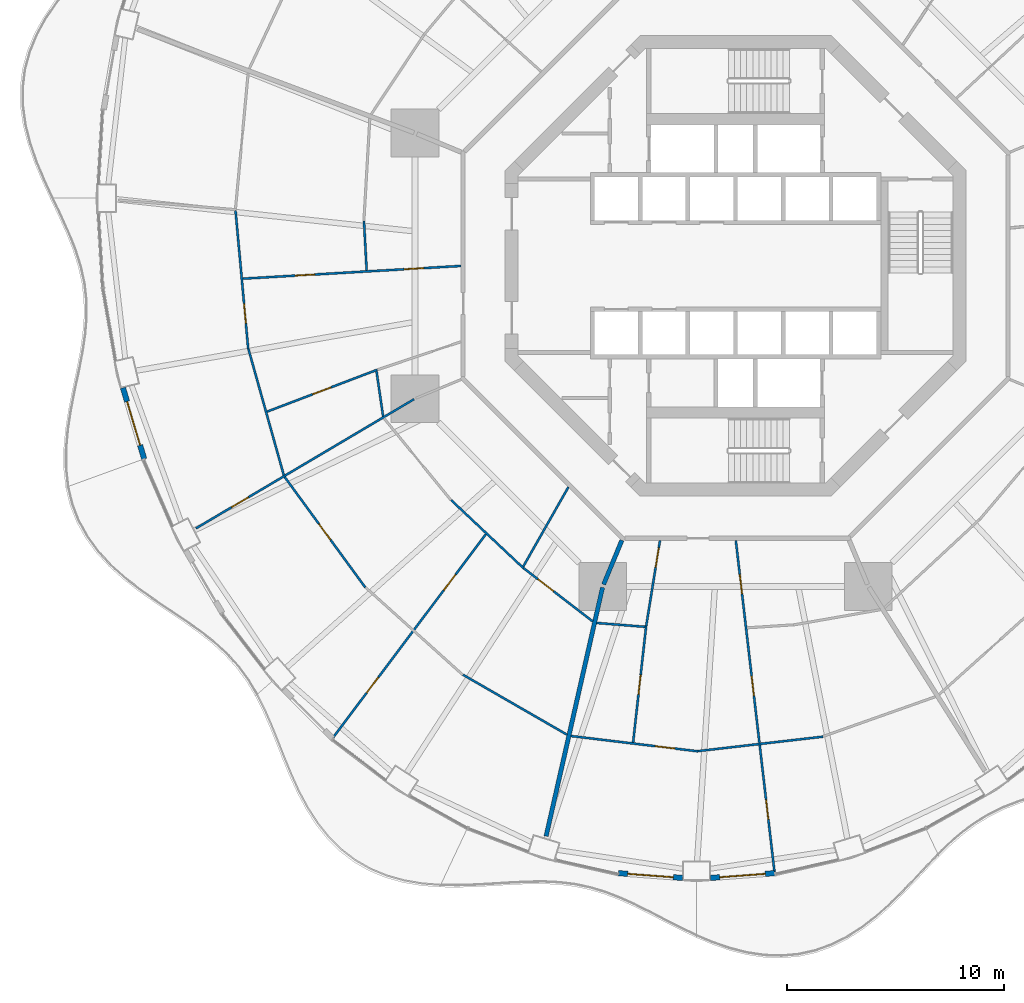
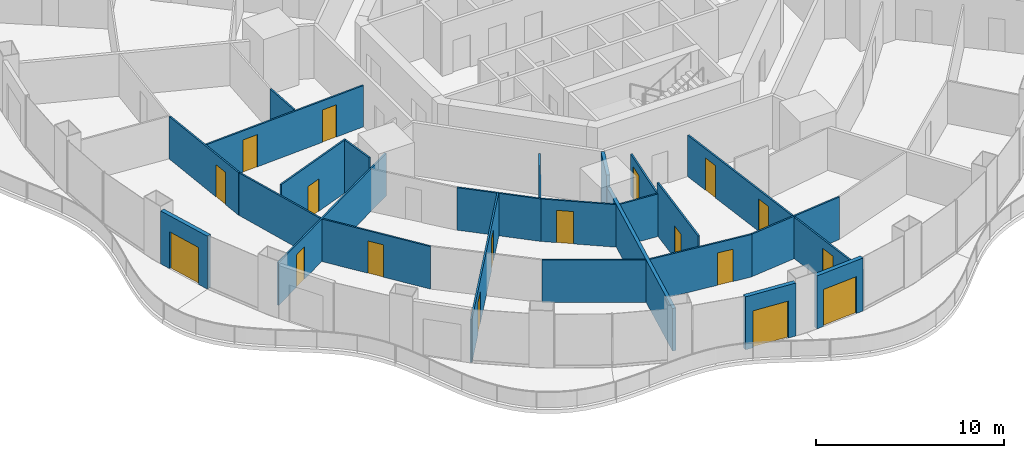
# One storey, part 14 of 22: 24 walls, 18 doors, 18 openings.
"""IFC4 building model written with IfcOpenShell, lengths in metres."""

from ifc_helpers import new_model, si_unit, direction, frame, frame_2d, origin, place, context, subcontext, project, spatial, rectangle, extrude, material, layer, layer_set, type_object, element, fill, save


model = new_model("IFC4")

# Units and contexts
model_context = context("Model", 3, precision=1e-05, world=origin(), true_north=direction((0.0, 1.0)))
body_context = subcontext(model_context, "Body", "Model", "MODEL_VIEW")
ifc_project = project(units=[si_unit("LENGTHUNIT", "METRE"), si_unit("AREAUNIT", "SQUARE_METRE"), si_unit("VOLUMEUNIT", "CUBIC_METRE"), si_unit("PLANEANGLEUNIT", "RADIAN"), si_unit("MASSUNIT", "GRAM", prefix="KILO")], contexts=[model_context])

# Site, building, storey
site_placement = place(None, origin())
site = spatial("IfcSite", under=ifc_project, at=site_placement, CompositionType="ELEMENT")
building_placement = place(site_placement, origin())
building = spatial("IfcBuilding", under=site, at=building_placement, Name="Nagisa Residences", CompositionType="ELEMENT")
storey_placement = place(building_placement, frame((0.0, 0.0, 106.60009765625)))
storey = spatial("IfcBuildingStorey", under=building, at=storey_placement, Name="L26", CompositionType="ELEMENT", Elevation=106.60009765625)

# Walls
ifc_material_1 = material(Name="Gypsum board on steel studs", Category="steel")
ifc_layer_1 = layer(ifc_material_1, 0.199951171875)
ifc_layer_set_1 = layer_set([ifc_layer_1], Name="Apartment compartment wall EI60 200")
wall_type_1 = type_object("IfcWallType", Name="Apartment compartment wall EI60 200", PredefinedType="PARTITIONING", material=ifc_layer_set_1)
wall_1_placement = place(storey_placement, frame((-5.24267578125, -12.6572265625, 0.0), z_axis=(0.0, 0.0, 1.0), x_axis=(-0.382668627144, -0.923885664896, 0.0)))
element("IfcWall", 1, at=wall_1_placement, inside=storey, type_object=wall_type_1, Name="wall:L26:u04", PredefinedType="PARTITIONING", context=body_context, shape_type="SweptSolid", body=[
    extrude(rectangle(XDim=2.200439453125, YDim=0.199951171875, at=frame_2d((1.10009765625, 0.0))), origin(), (0.0, 0.0, 1.0), 3.43994140625),
])
wall_2_placement = place(storey_placement, frame((-6.134033203125, -14.830810546875, 0.0), z_axis=(0.0, 0.0, 1.0), x_axis=(-0.221225405869, -0.975222702667, 0.0)))
element("IfcWall", 2, at=wall_2_placement, inside=storey, type_object=wall_type_1, Name="wall:L26:u05", PredefinedType="PARTITIONING", context=body_context, shape_type="SweptSolid", body=[
    extrude(rectangle(XDim=11.760986328125, YDim=0.199951171875, at=frame_2d((5.88037109375, 0.0))), origin(), (0.0, 0.0, 1.0), 2.761962890625),
])
ifc_material_2 = material(Name="Gypsum board on steel studs", Category="steel")
ifc_layer_2 = layer(ifc_material_2, 0.10009765625)
ifc_layer_set_2 = layer_set([ifc_layer_2], Name="Apartment partition 100")
wall_type_2 = type_object("IfcWallType", Name="Apartment partition 100", PredefinedType="PARTITIONING", material=ifc_layer_set_2)
wall_3_placement = place(storey_placement, frame((-17.13330078125, 2.058349609375, 0.0), z_axis=(0.0, 0.0, 1.0), x_axis=(0.053749298185, -0.998554461682, 0.0)))
element("IfcWall", 3, at=wall_3_placement, inside=storey, type_object=wall_type_2, Name="wall:L26:u56", PredefinedType="PARTITIONING", context=body_context, shape_type="SweptSolid", body=[
    extrude(rectangle(XDim=2.27099609375, YDim=0.10009765625, at=frame_2d((1.135498046875, 0.0))), origin(), (0.0, 0.0, 1.0), 2.761962890625),
])

# Wall, opening, door
wall_4_placement = place(storey_placement, frame((-23.056884765625, 2.54248046875, 0.0), z_axis=(0.0, 0.0, 1.0), x_axis=(0.091364304609, -0.995817535417, 0.0)))
wall_4 = element("IfcWall", 4, at=wall_4_placement, inside=storey, type_object=wall_type_2, Name="wall:L26:u58", PredefinedType="PARTITIONING", context=body_context, shape_type="SweptSolid", body=[
    extrude(rectangle(XDim=6.402587890625, YDim=0.10009765625, at=frame_2d((3.201171875, 0.0))), origin(), (0.0, 0.0, 1.0), 2.761962890625),
])
opening_1_placement = place(wall_4_placement, frame((4.3017578125, 0.0, 0.0)))
opening_1 = element("IfcOpeningElement", 5, at=opening_1_placement, cuts=wall_4, Name="Opening L26-U47", PredefinedType="OPENING", context=body_context, shape_type="SweptSolid", body=[
    extrude(rectangle(XDim=0.89990234375, YDim=2.10009765625, at=frame_2d((0.449951171875, 1.050048828125))), frame((0.0, 0.06005859375, 0.0), z_axis=(0.0, -1.0, 0.0), x_axis=(1.0, 0.0, 0.0)), (0.0, 0.0, 1.0), 0.1201171875),
])
ifc_material_3 = material(Name="Timber door set", Category="wood")
door_type_1 = type_object("IfcDoorType", Name="Apartment door 900x2100", OperationType="NOTDEFINED", PredefinedType="DOOR", material=ifc_material_3)
door_1_placement = place(opening_1_placement, frame((0.89990234375, 0.0, 0.0), x_axis=(-1.0, 0.0, 0.0)))
door_1 = element("IfcDoor", 6, at=door_1_placement, inside=storey, type_object=door_type_1, Name="Door to family room, Apartment 26D", OperationType="SINGLE_SWING_RIGHT", OverallHeight=2.10009765625, OverallWidth=0.89990234375, PredefinedType="DOOR", context=body_context, shape_type="SweptSolid", body=[
    extrude(rectangle(XDim=0.89990234375, YDim=2.10009765625, at=frame_2d((0.449951171875, 1.050048828125))), frame((0.0, 0.02490234375, 0.0), z_axis=(0.0, -1.0, 0.0), x_axis=(1.0, 0.0, 0.0)), (0.0, 0.0, 1.0), 0.050048828125),
])
fill(opening_1, door_1)

# Wall, openings, doors
wall_5_placement = place(storey_placement, frame((-12.66455078125, -0.005859375, 0.0), z_axis=(0.0, 0.0, 1.0), x_axis=(-0.998300603128, -0.058274400843, 0.0)))
wall_5 = element("IfcWall", 7, at=wall_5_placement, inside=storey, type_object=wall_type_2, Name="wall:L26:u59", PredefinedType="PARTITIONING", context=body_context, shape_type="SweptSolid", body=[
    extrude(rectangle(XDim=10.071533203125, YDim=0.10009765625, at=frame_2d((5.03564453125, 0.0))), origin(), (0.0, 0.0, 1.0), 2.68701171875),
])
opening_2_placement = place(wall_5_placement, frame((1.7255859375, 0.0, 0.0)))
opening_2 = element("IfcOpeningElement", 8, at=opening_2_placement, cuts=wall_5, Name="Opening L26-U42", PredefinedType="OPENING", context=body_context, shape_type="SweptSolid", body=[
    extrude(rectangle(XDim=0.89990234375, YDim=2.10009765625, at=frame_2d((0.449951171875, 1.050048828125))), frame((0.0, 0.06005859375, 0.0), z_axis=(0.0, -1.0, 0.0), x_axis=(1.0, 0.0, 0.0)), (0.0, 0.0, 1.0), 0.1201171875),
])
opening_3_placement = place(wall_5_placement, frame((6.761474609375, 0.0, 0.0)))
opening_3 = element("IfcOpeningElement", 9, at=opening_3_placement, cuts=wall_5, Name="Opening L26-U44", PredefinedType="OPENING", context=body_context, shape_type="SweptSolid", body=[
    extrude(rectangle(XDim=0.89990234375, YDim=2.10009765625, at=frame_2d((0.449951171875, 1.050048828125))), frame((0.0, 0.06005859375, 0.0), z_axis=(0.0, -1.0, 0.0), x_axis=(1.0, 0.0, 0.0)), (0.0, 0.0, 1.0), 0.1201171875),
])
door_2_placement = place(opening_2_placement, frame((0.89990234375, 0.0, 0.0), x_axis=(-1.0, 0.0, 0.0)))
door_2 = element("IfcDoor", 10, at=door_2_placement, inside=storey, type_object=door_type_1, Name="Door to laundry, Apartment 26D", OperationType="SINGLE_SWING_LEFT", OverallHeight=2.10009765625, OverallWidth=0.89990234375, PredefinedType="DOOR", context=body_context, shape_type="SweptSolid", body=[
    extrude(rectangle(XDim=0.89990234375, YDim=2.10009765625, at=frame_2d((0.449951171875, 1.050048828125))), frame((0.0, 0.02490234375, 0.0), z_axis=(0.0, -1.0, 0.0), x_axis=(1.0, 0.0, 0.0)), (0.0, 0.0, 1.0), 0.050048828125),
])
fill(opening_2, door_2)
door_3_placement = place(opening_3_placement, frame((0.89990234375, 0.0, 0.0), x_axis=(-1.0, 0.0, 0.0)))
door_3 = element("IfcDoor", 11, at=door_3_placement, inside=storey, type_object=door_type_1, Name="Door to family room, Apartment 26D", OperationType="SINGLE_SWING_LEFT", OverallHeight=2.10009765625, OverallWidth=0.89990234375, PredefinedType="DOOR", context=body_context, shape_type="SweptSolid", body=[
    extrude(rectangle(XDim=0.89990234375, YDim=2.10009765625, at=frame_2d((0.449951171875, 1.050048828125))), frame((0.0, 0.02490234375, 0.0), z_axis=(0.0, -1.0, 0.0), x_axis=(1.0, 0.0, 0.0)), (0.0, 0.0, 1.0), 0.050048828125),
])
fill(opening_3, door_3)

# Wall
wall_6_placement = place(storey_placement, frame((-22.462890625, -3.83154296875, 0.0), z_axis=(0.0, 0.0, 1.0), x_axis=(0.269797759333, -0.962917010473, 0.0)))
element("IfcWall", 12, at=wall_6_placement, inside=storey, type_object=wall_type_2, Name="wall:L26:u60", PredefinedType="PARTITIONING", context=body_context, shape_type="SweptSolid", body=[
    extrude(rectangle(XDim=6.04296875, YDim=0.10009765625, at=frame_2d((3.021484375, 0.0))), origin(), (0.0, 0.0, 1.0), 2.761962890625),
])

# Wall, opening, door
wall_7_placement = place(storey_placement, frame((-16.5166015625, -4.79052734375, 0.0), z_axis=(0.0, 0.0, 1.0), x_axis=(-0.934746314445, -0.355315813933, 0.0)))
wall_7 = element("IfcWall", 13, at=wall_7_placement, inside=storey, type_object=wall_type_2, Name="wall:L26:u62", PredefinedType="PARTITIONING", context=body_context, shape_type="SweptSolid", body=[
    extrude(rectangle(XDim=5.439208984375, YDim=0.10009765625, at=frame_2d((2.7197265625, 0.0))), origin(), (0.0, 0.0, 1.0), 3.43994140625),
])
opening_4_placement = place(wall_7_placement, frame((2.294677734375, 0.0, 0.0)))
opening_4 = element("IfcOpeningElement", 14, at=opening_4_placement, cuts=wall_7, Name="Opening L26-U45", PredefinedType="OPENING", context=body_context, shape_type="SweptSolid", body=[
    extrude(rectangle(XDim=0.89990234375, YDim=2.10009765625, at=frame_2d((0.449951171875, 1.050048828125))), frame((0.0, 0.06005859375, 0.0), z_axis=(0.0, -1.0, 0.0), x_axis=(1.0, 0.0, 0.0)), (0.0, 0.0, 1.0), 0.1201171875),
])
door_4_placement = place(opening_4_placement, origin())
door_4 = element("IfcDoor", 15, at=door_4_placement, inside=storey, type_object=door_type_1, Name="Door to family bathroom, Apartment 26D", OperationType="SINGLE_SWING_LEFT", OverallHeight=2.10009765625, OverallWidth=0.89990234375, PredefinedType="DOOR", context=body_context, shape_type="SweptSolid", body=[
    extrude(rectangle(XDim=0.89990234375, YDim=2.10009765625, at=frame_2d((0.449951171875, 1.050048828125))), frame((0.0, 0.02490234375, 0.0), z_axis=(0.0, -1.0, 0.0), x_axis=(1.0, 0.0, 0.0)), (0.0, 0.0, 1.0), 0.050048828125),
])
fill(opening_4, door_4)

# Wall
wall_8_placement = place(storey_placement, frame((-16.555908203125, -4.857666015625, 0.0), z_axis=(0.0, 0.0, 1.0), x_axis=(0.144198032946, -0.989548850383, 0.0)))
element("IfcWall", 16, at=wall_8_placement, inside=storey, type_object=wall_type_2, Name="wall:L26:u63", PredefinedType="PARTITIONING", context=body_context, shape_type="SweptSolid", body=[
    extrude(rectangle(XDim=2.1044921875, YDim=0.10009765625, at=frame_2d((1.05224609375, 0.0))), origin(), (0.0, 0.0, 1.0), 3.43994140625),
])

# Wall, opening, door
wall_9_placement = place(storey_placement, frame((-14.824951171875, -6.1484375, 0.0), z_axis=(0.0, 0.0, 1.0), x_axis=(-0.860400431487, -0.509618580408, 0.0)))
wall_9 = element("IfcWall", 17, at=wall_9_placement, inside=storey, type_object=wall_type_2, Name="wall:L26:u65", PredefinedType="PARTITIONING", context=body_context, shape_type="SweptSolid", body=[
    extrude(rectangle(XDim=11.687744140625, YDim=0.10009765625, at=frame_2d((5.84375, 0.0))), origin(), (0.0, 0.0, 1.0), 2.761962890625),
])
opening_5_placement = place(wall_9_placement, frame((8.876953125, 0.0, 0.0)))
opening_5 = element("IfcOpeningElement", 18, at=opening_5_placement, cuts=wall_9, Name="Opening L26-U48", PredefinedType="OPENING", context=body_context, shape_type="SweptSolid", body=[
    extrude(rectangle(XDim=0.89990234375, YDim=2.10009765625, at=frame_2d((0.449951171875, 1.050048828125))), frame((0.0, 0.06005859375, 0.0), z_axis=(0.0, -1.0, 0.0), x_axis=(1.0, 0.0, 0.0)), (0.0, 0.0, 1.0), 0.1201171875),
])
door_5_placement = place(opening_5_placement, origin())
door_5 = element("IfcDoor", 19, at=door_5_placement, inside=storey, type_object=door_type_1, Name="Door to living room, Apartment 26D", OperationType="SINGLE_SWING_RIGHT", OverallHeight=2.10009765625, OverallWidth=0.89990234375, PredefinedType="DOOR", context=body_context, shape_type="SweptSolid", body=[
    extrude(rectangle(XDim=0.89990234375, YDim=2.10009765625, at=frame_2d((0.449951171875, 1.050048828125))), frame((0.0, 0.02490234375, 0.0), z_axis=(0.0, -1.0, 0.0), x_axis=(1.0, 0.0, 0.0)), (0.0, 0.0, 1.0), 0.050048828125),
])
fill(opening_5, door_5)

wall_10_placement = place(storey_placement, frame((-20.78955078125, -9.739013671875, 0.0), z_axis=(0.0, 0.0, 1.0), x_axis=(0.589595343438, -0.807698787294, 0.0)))
wall_10 = element("IfcWall", 20, at=wall_10_placement, inside=storey, type_object=wall_type_2, Name="wall:L26:u67", PredefinedType="PARTITIONING", context=body_context, shape_type="SweptSolid", body=[
    extrude(rectangle(XDim=6.3076171875, YDim=0.10009765625, at=frame_2d((3.15380859375, 0.0))), origin(), (0.0, 0.0, 1.0), 2.761962890625),
])
opening_6_placement = place(wall_10_placement, frame((2.678955078125, 0.0, 0.0)))
opening_6 = element("IfcOpeningElement", 21, at=opening_6_placement, cuts=wall_10, Name="Opening L26-U50", PredefinedType="OPENING", context=body_context, shape_type="SweptSolid", body=[
    extrude(rectangle(XDim=0.89990234375, YDim=2.10009765625, at=frame_2d((0.449951171875, 1.050048828125))), frame((0.0, 0.06005859375, 0.0), z_axis=(0.0, -1.0, 0.0), x_axis=(1.0, 0.0, 0.0)), (0.0, 0.0, 1.0), 0.1201171875),
])
door_6_placement = place(opening_6_placement, origin())
door_6 = element("IfcDoor", 22, at=door_6_placement, inside=storey, type_object=door_type_1, Name="Door to kitchen, Apartment 26D", OperationType="SINGLE_SWING_RIGHT", OverallHeight=2.10009765625, OverallWidth=0.89990234375, PredefinedType="DOOR", context=body_context, shape_type="SweptSolid", body=[
    extrude(rectangle(XDim=0.89990234375, YDim=2.10009765625, at=frame_2d((0.449951171875, 1.050048828125))), frame((0.0, 0.02490234375, 0.0), z_axis=(0.0, -1.0, 0.0), x_axis=(1.0, 0.0, 0.0)), (0.0, 0.0, 1.0), 0.050048828125),
])
fill(opening_6, door_6)

# Wall
wall_11_placement = place(storey_placement, frame((-13.118408203125, -10.799560546875, 0.0), z_axis=(0.0, 0.0, 1.0), x_axis=(0.72818280142, -0.685382964273, 0.0)))
element("IfcWall", 23, at=wall_11_placement, inside=storey, type_object=wall_type_2, Name="wall:L26:u68", PredefinedType="PARTITIONING", context=body_context, shape_type="SweptSolid", body=[
    extrude(rectangle(XDim=4.586181640625, YDim=0.10009765625, at=frame_2d((2.29296875, 0.0))), origin(), (0.0, 0.0, 1.0), 2.761962890625),
])

# Wall, openings, doors
wall_12_placement = place(storey_placement, frame((-11.514892578125, -12.376953125, 0.0), z_axis=(0.0, 0.0, 1.0), x_axis=(-0.600741245554, -0.799443528893, 0.0)))
wall_12 = element("IfcWall", 24, at=wall_12_placement, inside=storey, type_object=wall_type_2, Name="wall:L26:u70", PredefinedType="PARTITIONING", context=body_context, shape_type="SweptSolid", body=[
    extrude(rectangle(XDim=11.85302734375, YDim=0.10009765625, at=frame_2d((5.926513671875, 0.0))), origin(), (0.0, 0.0, 1.0), 2.8369140625),
])
opening_7_placement = place(wall_12_placement, frame((8.2529296875, 0.0, 0.0)))
opening_7 = element("IfcOpeningElement", 25, at=opening_7_placement, cuts=wall_12, Name="Opening L26-U49", PredefinedType="OPENING", context=body_context, shape_type="SweptSolid", body=[
    extrude(rectangle(XDim=0.89990234375, YDim=2.10009765625, at=frame_2d((0.449951171875, 1.050048828125))), frame((0.0, 0.06005859375, 0.0), z_axis=(0.0, -1.0, 0.0), x_axis=(1.0, 0.0, 0.0)), (0.0, 0.0, 1.0), 0.1201171875),
])
opening_8_placement = place(wall_12_placement, frame((2.326416015625, 0.0, 0.0)))
opening_8 = element("IfcOpeningElement", 26, at=opening_8_placement, cuts=wall_12, Name="Opening L26-U51", PredefinedType="OPENING", context=body_context, shape_type="SweptSolid", body=[
    extrude(rectangle(XDim=0.89990234375, YDim=2.10009765625, at=frame_2d((0.449951171875, 1.050048828125))), frame((0.0, 0.06005859375, 0.0), z_axis=(0.0, -1.0, 0.0), x_axis=(1.0, 0.0, 0.0)), (0.0, 0.0, 1.0), 0.1201171875),
])
door_7_placement = place(opening_7_placement, origin())
door_7 = element("IfcDoor", 27, at=door_7_placement, inside=storey, type_object=door_type_1, Name="Door to master bedroom, Apartment 26D", OperationType="SINGLE_SWING_LEFT", OverallHeight=2.10009765625, OverallWidth=0.89990234375, PredefinedType="DOOR", context=body_context, shape_type="SweptSolid", body=[
    extrude(rectangle(XDim=0.89990234375, YDim=2.10009765625, at=frame_2d((0.449951171875, 1.050048828125))), frame((0.0, 0.02490234375, 0.0), z_axis=(0.0, -1.0, 0.0), x_axis=(1.0, 0.0, 0.0)), (0.0, 0.0, 1.0), 0.050048828125),
])
fill(opening_7, door_7)
door_8_placement = place(opening_8_placement, origin())
door_8 = element("IfcDoor", 28, at=door_8_placement, inside=storey, type_object=door_type_1, Name="Door to family room, Apartment 26D", OperationType="SINGLE_SWING_LEFT", OverallHeight=2.10009765625, OverallWidth=0.89990234375, PredefinedType="DOOR", context=body_context, shape_type="SweptSolid", body=[
    extrude(rectangle(XDim=0.89990234375, YDim=2.10009765625, at=frame_2d((0.449951171875, 1.050048828125))), frame((0.0, 0.02490234375, 0.0), z_axis=(0.0, -1.0, 0.0), x_axis=(1.0, 0.0, 0.0)), (0.0, 0.0, 1.0), 0.050048828125),
])
fill(opening_8, door_8)

# Wall
wall_13_placement = place(storey_placement, frame((-7.707275390625, -10.1982421875, 0.0), z_axis=(0.0, 0.0, 1.0), x_axis=(-0.493986531217, -0.869469554945, 0.0)))
element("IfcWall", 29, at=wall_13_placement, inside=storey, type_object=wall_type_2, Name="wall:L26:u71", PredefinedType="PARTITIONING", context=body_context, shape_type="SweptSolid", body=[
    extrude(rectangle(XDim=4.21728515625, YDim=0.10009765625, at=frame_2d((2.108642578125, 0.0))), origin(), (0.0, 0.0, 1.0), 2.68701171875),
])

# Wall, opening, door
wall_14_placement = place(storey_placement, frame((-9.775390625, -13.93896484375, 0.0), z_axis=(0.0, 0.0, 1.0), x_axis=(0.792162117554, -0.610310723741, 0.0)))
wall_14 = element("IfcWall", 30, at=wall_14_placement, inside=storey, type_object=wall_type_2, Name="wall:L26:u72", PredefinedType="PARTITIONING", context=body_context, shape_type="SweptSolid", body=[
    extrude(rectangle(XDim=4.0302734375, YDim=0.10009765625, at=frame_2d((2.01513671875, 0.0))), origin(), (0.0, 0.0, 1.0), 2.761962890625),
])
opening_9_placement = place(wall_14_placement, frame((0.836181640625, 0.0, 0.0)))
opening_9 = element("IfcOpeningElement", 31, at=opening_9_placement, cuts=wall_14, Name="Opening L26-U53", PredefinedType="OPENING", context=body_context, shape_type="SweptSolid", body=[
    extrude(rectangle(XDim=0.89990234375, YDim=2.10009765625, at=frame_2d((0.449951171875, 1.050048828125))), frame((0.0, 0.06005859375, 0.0), z_axis=(0.0, -1.0, 0.0), x_axis=(1.0, 0.0, 0.0)), (0.0, 0.0, 1.0), 0.1201171875),
])
door_9_placement = place(opening_9_placement, origin())
door_9 = element("IfcDoor", 32, at=door_9_placement, inside=storey, type_object=door_type_1, Name="Door to laundry, Apartment 26D", OperationType="SINGLE_SWING_LEFT", OverallHeight=2.10009765625, OverallWidth=0.89990234375, PredefinedType="DOOR", context=body_context, shape_type="SweptSolid", body=[
    extrude(rectangle(XDim=0.89990234375, YDim=2.10009765625, at=frame_2d((0.449951171875, 1.050048828125))), frame((0.0, 0.02490234375, 0.0), z_axis=(0.0, -1.0, 0.0), x_axis=(1.0, 0.0, 0.0)), (0.0, 0.0, 1.0), 0.050048828125),
])
fill(opening_9, door_9)

# Walls
wall_15_placement = place(storey_placement, frame((-12.568115234375, -18.855712890625, 0.0), z_axis=(0.0, 0.0, 1.0), x_axis=(0.866533437451, -0.499119025664, 0.0)))
element("IfcWall", 33, at=wall_15_placement, inside=storey, type_object=wall_type_2, Name="wall:L26:u73", PredefinedType="PARTITIONING", context=body_context, shape_type="SweptSolid", body=[
    extrude(rectangle(XDim=5.53515625, YDim=0.10009765625, at=frame_2d((2.767578125, 0.0))), origin(), (0.0, 0.0, 1.0), 2.761962890625),
])
wall_16_placement = place(storey_placement, frame((-6.40380859375, -16.467529296875, 0.0), z_axis=(0.0, 0.0, 1.0), x_axis=(0.996819101134, -0.079697425392, 0.0)))
element("IfcWall", 34, at=wall_16_placement, inside=storey, type_object=wall_type_2, Name="wall:L26:u74", PredefinedType="PARTITIONING", context=body_context, shape_type="SweptSolid", body=[
    extrude(rectangle(XDim=2.233154296875, YDim=0.10009765625, at=frame_2d((1.11669921875, 0.0))), origin(), (0.0, 0.0, 1.0), 2.761962890625),
])

# Wall, opening, door
wall_17_placement = place(storey_placement, frame((-7.5859375, -21.680419921875, 0.0), z_axis=(0.0, 0.0, 1.0), x_axis=(0.992810535213, -0.119696454295, 0.0)))
wall_17 = element("IfcWall", 35, at=wall_17_placement, inside=storey, type_object=wall_type_2, Name="wall:L26:u75", PredefinedType="PARTITIONING", context=body_context, shape_type="SweptSolid", body=[
    extrude(rectangle(XDim=5.90283203125, YDim=0.10009765625, at=frame_2d((2.951416015625, 0.0))), origin(), (0.0, 0.0, 1.0), 2.761962890625),
])
opening_10_placement = place(wall_17_placement, frame((3.91455078125, 0.0, 0.0)))
opening_10 = element("IfcOpeningElement", 36, at=opening_10_placement, cuts=wall_17, Name="Opening L26-U06", PredefinedType="OPENING", context=body_context, shape_type="SweptSolid", body=[
    extrude(rectangle(XDim=0.89990234375, YDim=2.10009765625, at=frame_2d((0.449951171875, 1.050048828125))), frame((0.0, 0.06005859375, 0.0), z_axis=(0.0, -1.0, 0.0), x_axis=(1.0, 0.0, 0.0)), (0.0, 0.0, 1.0), 0.1201171875),
])
door_10_placement = place(opening_10_placement, frame((0.89990234375, 0.0, 0.0), x_axis=(-1.0, 0.0, 0.0)))
door_10 = element("IfcDoor", 37, at=door_10_placement, inside=storey, type_object=door_type_1, Name="Door to living room, Apartment 26A", OperationType="SINGLE_SWING_LEFT", OverallHeight=2.10009765625, OverallWidth=0.89990234375, PredefinedType="DOOR", context=body_context, shape_type="SweptSolid", body=[
    extrude(rectangle(XDim=0.89990234375, YDim=2.10009765625, at=frame_2d((0.449951171875, 1.050048828125))), frame((0.0, 0.02490234375, 0.0), z_axis=(0.0, -1.0, 0.0), x_axis=(1.0, 0.0, 0.0)), (0.0, 0.0, 1.0), 0.050048828125),
])
fill(opening_10, door_10)

wall_18_placement = place(storey_placement, frame((-3.485595703125, -12.66357421875, 0.0), z_axis=(0.0, 0.0, 1.0), x_axis=(-0.159124641548, -0.987258501332, 0.0)))
wall_18 = element("IfcWall", 38, at=wall_18_placement, inside=storey, type_object=wall_type_2, Name="wall:L26:u76", PredefinedType="PARTITIONING", context=body_context, shape_type="SweptSolid", body=[
    extrude(rectangle(XDim=3.987548828125, YDim=0.10009765625, at=frame_2d((1.99365234375, 0.0))), origin(), (0.0, 0.0, 1.0), 2.68701171875),
])
opening_11_placement = place(wall_18_placement, frame((0.35009765625, 0.0, 0.0)))
opening_11 = element("IfcOpeningElement", 39, at=opening_11_placement, cuts=wall_18, Name="Opening L26-U02", PredefinedType="OPENING", context=body_context, shape_type="SweptSolid", body=[
    extrude(rectangle(XDim=0.89990234375, YDim=2.10009765625, at=frame_2d((0.449951171875, 1.050048828125))), frame((0.0, 0.06005859375, 0.0), z_axis=(0.0, -1.0, 0.0), x_axis=(1.0, 0.0, 0.0)), (0.0, 0.0, 1.0), 0.1201171875),
])
door_11_placement = place(opening_11_placement, frame((0.89990234375, 0.0, 0.0), x_axis=(-1.0, 0.0, 0.0)))
door_11 = element("IfcDoor", 40, at=door_11_placement, inside=storey, type_object=door_type_1, Name="Door to family bathroom, Apartment 26A", OperationType="SINGLE_SWING_LEFT", OverallHeight=2.10009765625, OverallWidth=0.89990234375, PredefinedType="DOOR", context=body_context, shape_type="SweptSolid", body=[
    extrude(rectangle(XDim=0.89990234375, YDim=2.10009765625, at=frame_2d((0.449951171875, 1.050048828125))), frame((0.0, 0.02490234375, 0.0), z_axis=(0.0, -1.0, 0.0), x_axis=(1.0, 0.0, 0.0)), (0.0, 0.0, 1.0), 0.050048828125),
])
fill(opening_11, door_11)

wall_19_placement = place(storey_placement, frame((-4.122314453125, -16.599853515625, 0.0), z_axis=(0.0, 0.0, 1.0), x_axis=(-0.111357928679, -0.993780363924, 0.0)))
wall_19 = element("IfcWall", 41, at=wall_19_placement, inside=storey, type_object=wall_type_2, Name="wall:L26:u77", PredefinedType="PARTITIONING", context=body_context, shape_type="SweptSolid", body=[
    extrude(rectangle(XDim=5.40869140625, YDim=0.10009765625, at=frame_2d((2.704345703125, 0.0))), origin(), (0.0, 0.0, 1.0), 3.43994140625),
])
opening_12_placement = place(wall_19_placement, frame((2.279296875, 0.0, 0.0)))
opening_12 = element("IfcOpeningElement", 42, at=opening_12_placement, cuts=wall_19, Name="Opening L26-U04", PredefinedType="OPENING", context=body_context, shape_type="SweptSolid", body=[
    extrude(rectangle(XDim=0.89990234375, YDim=2.10009765625, at=frame_2d((0.449951171875, 1.050048828125))), frame((0.0, 0.06005859375, 0.0), z_axis=(0.0, -1.0, 0.0), x_axis=(1.0, 0.0, 0.0)), (0.0, 0.0, 1.0), 0.1201171875),
])
door_12_placement = place(opening_12_placement, frame((0.89990234375, 0.0, 0.0), x_axis=(-1.0, 0.0, 0.0)))
door_12 = element("IfcDoor", 43, at=door_12_placement, inside=storey, type_object=door_type_1, Name="Door to family bathroom, Apartment 26A", OperationType="SINGLE_SWING_LEFT", OverallHeight=2.10009765625, OverallWidth=0.89990234375, PredefinedType="DOOR", context=body_context, shape_type="SweptSolid", body=[
    extrude(rectangle(XDim=0.89990234375, YDim=2.10009765625, at=frame_2d((0.449951171875, 1.050048828125))), frame((0.0, 0.02490234375, 0.0), z_axis=(0.0, -1.0, 0.0), x_axis=(1.0, 0.0, 0.0)), (0.0, 0.0, 1.0), 0.050048828125),
])
fill(opening_12, door_12)

# Wall
wall_20_placement = place(storey_placement, frame((-1.7255859375, -22.375244140625, 0.0), z_axis=(0.0, 0.0, 1.0), x_axis=(0.993392336919, 0.114767874207, 0.0)))
element("IfcWall", 44, at=wall_20_placement, inside=storey, type_object=wall_type_2, Name="wall:L26:u78", PredefinedType="PARTITIONING", context=body_context, shape_type="SweptSolid", body=[
    extrude(rectangle(XDim=5.801025390625, YDim=0.10009765625, at=frame_2d((2.900390625, 0.0))), origin(), (0.0, 0.0, 1.0), 2.761962890625),
])

# Wall, openings, doors
wall_21_placement = place(storey_placement, frame((0.011474609375, -12.6640625, 0.0), z_axis=(0.0, 0.0, 1.0), x_axis=(0.115841404661, -0.993267722704, 0.0)))
wall_21 = element("IfcWall", 45, at=wall_21_placement, inside=storey, type_object=wall_type_2, Name="wall:L26:u79", PredefinedType="PARTITIONING", context=body_context, shape_type="SweptSolid", body=[
    extrude(rectangle(XDim=15.5283203125, YDim=0.10009765625, at=frame_2d((7.76416015625, 0.0))), origin(), (0.0, 0.0, 1.0), 2.68701171875),
])
opening_13_placement = place(wall_21_placement, frame((1.578857421875, 0.0, 0.0)))
opening_13 = element("IfcOpeningElement", 46, at=opening_13_placement, cuts=wall_21, Name="Opening L26-U03", PredefinedType="OPENING", context=body_context, shape_type="SweptSolid", body=[
    extrude(rectangle(XDim=0.89990234375, YDim=2.10009765625, at=frame_2d((0.449951171875, 1.050048828125))), frame((0.0, 0.06005859375, 0.0), z_axis=(0.0, -1.0, 0.0), x_axis=(1.0, 0.0, 0.0)), (0.0, 0.0, 1.0), 0.1201171875),
])
opening_14_placement = place(wall_21_placement, frame((6.302734375, 0.0, 0.0)))
opening_14 = element("IfcOpeningElement", 47, at=opening_14_placement, cuts=wall_21, Name="Opening L26-U05", PredefinedType="OPENING", context=body_context, shape_type="SweptSolid", body=[
    extrude(rectangle(XDim=0.89990234375, YDim=2.10009765625, at=frame_2d((0.449951171875, 1.050048828125))), frame((0.0, 0.06005859375, 0.0), z_axis=(0.0, -1.0, 0.0), x_axis=(1.0, 0.0, 0.0)), (0.0, 0.0, 1.0), 0.1201171875),
])
opening_15_placement = place(wall_21_placement, frame((12.0380859375, 0.0, 0.0)))
opening_15 = element("IfcOpeningElement", 48, at=opening_15_placement, cuts=wall_21, Name="Opening L26-U07", PredefinedType="OPENING", context=body_context, shape_type="SweptSolid", body=[
    extrude(rectangle(XDim=0.89990234375, YDim=2.10009765625, at=frame_2d((0.449951171875, 1.050048828125))), frame((0.0, 0.06005859375, 0.0), z_axis=(0.0, -1.0, 0.0), x_axis=(1.0, 0.0, 0.0)), (0.0, 0.0, 1.0), 0.1201171875),
])
door_13_placement = place(opening_13_placement, origin())
door_13 = element("IfcDoor", 49, at=door_13_placement, inside=storey, type_object=door_type_1, Name="Door to store, Apartment 26A", OperationType="SINGLE_SWING_LEFT", OverallHeight=2.10009765625, OverallWidth=0.89990234375, PredefinedType="DOOR", context=body_context, shape_type="SweptSolid", body=[
    extrude(rectangle(XDim=0.89990234375, YDim=2.10009765625, at=frame_2d((0.449951171875, 1.050048828125))), frame((0.0, 0.02490234375, 0.0), z_axis=(0.0, -1.0, 0.0), x_axis=(1.0, 0.0, 0.0)), (0.0, 0.0, 1.0), 0.050048828125),
])
fill(opening_13, door_13)
door_14_placement = place(opening_14_placement, origin())
door_14 = element("IfcDoor", 50, at=door_14_placement, inside=storey, type_object=door_type_1, Name="Door to kitchen, Apartment 26A", OperationType="SINGLE_SWING_LEFT", OverallHeight=2.10009765625, OverallWidth=0.89990234375, PredefinedType="DOOR", context=body_context, shape_type="SweptSolid", body=[
    extrude(rectangle(XDim=0.89990234375, YDim=2.10009765625, at=frame_2d((0.449951171875, 1.050048828125))), frame((0.0, 0.02490234375, 0.0), z_axis=(0.0, -1.0, 0.0), x_axis=(1.0, 0.0, 0.0)), (0.0, 0.0, 1.0), 0.050048828125),
])
fill(opening_14, door_14)
door_15_placement = place(opening_15_placement, origin())
door_15 = element("IfcDoor", 51, at=door_15_placement, inside=storey, type_object=door_type_1, Name="Door to master bedroom, Apartment 26A", OperationType="SINGLE_SWING_LEFT", OverallHeight=2.10009765625, OverallWidth=0.89990234375, PredefinedType="DOOR", context=body_context, shape_type="SweptSolid", body=[
    extrude(rectangle(XDim=0.89990234375, YDim=2.10009765625, at=frame_2d((0.449951171875, 1.050048828125))), frame((0.0, 0.02490234375, 0.0), z_axis=(0.0, -1.0, 0.0), x_axis=(1.0, 0.0, 0.0)), (0.0, 0.0, 1.0), 0.050048828125),
])
fill(opening_15, door_15)

# Wall, opening, door
ifc_material_4 = material(Name="Precast concrete C40/50", Category="concrete")
ifc_layer_3 = layer(ifc_material_4, 0.25)
ifc_layer_set_3 = layer_set([ifc_layer_3], Name="BALCONY DOOR WALL 250")
wall_type_3 = type_object("IfcWallType", Name="BALCONY DOOR WALL 250", PredefinedType="SOLIDWALL", material=ifc_layer_set_3)
wall_22_placement = place(storey_placement, frame((-27.26708984375, -8.90673828125, 0.0), z_axis=(0.0, 0.0, 1.0), x_axis=(-0.285836143515, 0.958278508086, 0.0)))
wall_22 = element("IfcWall", 52, at=wall_22_placement, inside=storey, type_object=wall_type_3, Name="wall:L26:bay26", PredefinedType="SOLIDWALL", context=body_context, shape_type="SweptSolid", body=[
    extrude(rectangle(XDim=3.42333984375, YDim=0.25, at=frame_2d((1.711669921875, 0.0))), origin(), (0.0, 0.0, 1.0), 3.43994140625),
])
opening_16_placement = place(wall_22_placement, frame((0.661865234375, 0.0, 0.0)))
opening_16 = element("IfcOpeningElement", 53, at=opening_16_placement, cuts=wall_22, Name="Opening BD-L26-09", PredefinedType="OPENING", context=body_context, shape_type="SweptSolid", body=[
    extrude(rectangle(XDim=2.10009765625, YDim=2.39990234375, at=frame_2d((1.050048828125, 1.199951171875))), frame((0.0, 0.135009765625, 0.0), z_axis=(0.0, -1.0, 0.0), x_axis=(1.0, 0.0, 0.0)), (0.0, 0.0, 1.0), 0.27001953125),
])
ifc_material_5 = material(Name="Aluminium and clear glass", Category="aluminium")
door_type_2 = type_object("IfcDoorType", Name="BALCONY SLIDING DOOR 2100x2400", OperationType="SLIDING_TO_LEFT", PredefinedType="DOOR", material=ifc_material_5)
door_16_placement = place(opening_16_placement, origin())
door_16 = element("IfcDoor", 54, at=door_16_placement, inside=storey, type_object=door_type_2, Name="door:L26:bay26", OperationType="SLIDING_TO_LEFT", OverallHeight=2.39990234375, OverallWidth=2.10009765625, PredefinedType="DOOR", context=body_context, shape_type="SweptSolid", body=[
    extrude(rectangle(XDim=2.10009765625, YDim=2.39990234375, at=frame_2d((1.050048828125, 1.199951171875))), frame((0.0, 0.02490234375, 0.0), z_axis=(0.0, -1.0, 0.0), x_axis=(1.0, 0.0, 0.0)), (0.0, 0.0, 1.0), 0.050048828125),
])
fill(opening_16, door_16)

wall_23_placement = place(storey_placement, frame((-2.43896484375, -28.224365234375, 0.0), z_axis=(0.0, 0.0, 1.0), x_axis=(-0.997225719788, 0.074436978672, 0.0)))
wall_23 = element("IfcWall", 55, at=wall_23_placement, inside=storey, type_object=wall_type_3, Name="wall:L26:bay35", PredefinedType="SOLIDWALL", context=body_context, shape_type="SweptSolid", body=[
    extrude(rectangle(XDim=2.974853515625, YDim=0.25, at=frame_2d((1.4873046875, 0.0))), origin(), (0.0, 0.0, 1.0), 3.43994140625),
])
opening_17_placement = place(wall_23_placement, frame((0.4375, 0.0, 0.0)))
opening_17 = element("IfcOpeningElement", 56, at=opening_17_placement, cuts=wall_23, Name="Opening BD-L26-12", PredefinedType="OPENING", context=body_context, shape_type="SweptSolid", body=[
    extrude(rectangle(XDim=2.10009765625, YDim=2.39990234375, at=frame_2d((1.050048828125, 1.199951171875))), frame((0.0, 0.135009765625, 0.0), z_axis=(0.0, -1.0, 0.0), x_axis=(1.0, 0.0, 0.0)), (0.0, 0.0, 1.0), 0.27001953125),
])
door_17_placement = place(opening_17_placement, origin())
door_17 = element("IfcDoor", 57, at=door_17_placement, inside=storey, type_object=door_type_2, Name="door:L26:bay35", OperationType="SLIDING_TO_LEFT", OverallHeight=2.39990234375, OverallWidth=2.10009765625, PredefinedType="DOOR", context=body_context, shape_type="SweptSolid", body=[
    extrude(rectangle(XDim=2.10009765625, YDim=2.39990234375, at=frame_2d((1.050048828125, 1.199951171875))), frame((0.0, 0.02490234375, 0.0), z_axis=(0.0, -1.0, 0.0), x_axis=(1.0, 0.0, 0.0)), (0.0, 0.0, 1.0), 0.050048828125),
])
fill(opening_17, door_17)

wall_24_placement = place(storey_placement, frame((1.8056640625, -28.0029296875, 0.0), z_axis=(0.0, 0.0, 1.0), x_axis=(-0.997226174467, -0.074430887117, 0.0)))
wall_24 = element("IfcWall", 58, at=wall_24_placement, inside=storey, type_object=wall_type_3, Name="wall:L26:bay36", PredefinedType="SOLIDWALL", context=body_context, shape_type="SweptSolid", body=[
    extrude(rectangle(XDim=2.97509765625, YDim=0.25, at=frame_2d((1.487548828125, 0.0))), origin(), (0.0, 0.0, 1.0), 3.43994140625),
])
opening_18_placement = place(wall_24_placement, frame((0.4375, 0.0, 0.0)))
opening_18 = element("IfcOpeningElement", 59, at=opening_18_placement, cuts=wall_24, Name="Opening BD-L26-13", PredefinedType="OPENING", context=body_context, shape_type="SweptSolid", body=[
    extrude(rectangle(XDim=2.10009765625, YDim=2.39990234375, at=frame_2d((1.050048828125, 1.199951171875))), frame((0.0, 0.135009765625, 0.0), z_axis=(0.0, -1.0, 0.0), x_axis=(1.0, 0.0, 0.0)), (0.0, 0.0, 1.0), 0.27001953125),
])
door_18_placement = place(opening_18_placement, origin())
door_18 = element("IfcDoor", 60, at=door_18_placement, inside=storey, type_object=door_type_2, Name="door:L26:bay36", OperationType="SLIDING_TO_LEFT", OverallHeight=2.39990234375, OverallWidth=2.10009765625, PredefinedType="DOOR", context=body_context, shape_type="SweptSolid", body=[
    extrude(rectangle(XDim=2.10009765625, YDim=2.39990234375, at=frame_2d((1.050048828125, 1.199951171875))), frame((0.0, 0.02490234375, 0.0), z_axis=(0.0, -1.0, 0.0), x_axis=(1.0, 0.0, 0.0)), (0.0, 0.0, 1.0), 0.050048828125),
])
fill(opening_18, door_18)

save(model, "model.ifc")
